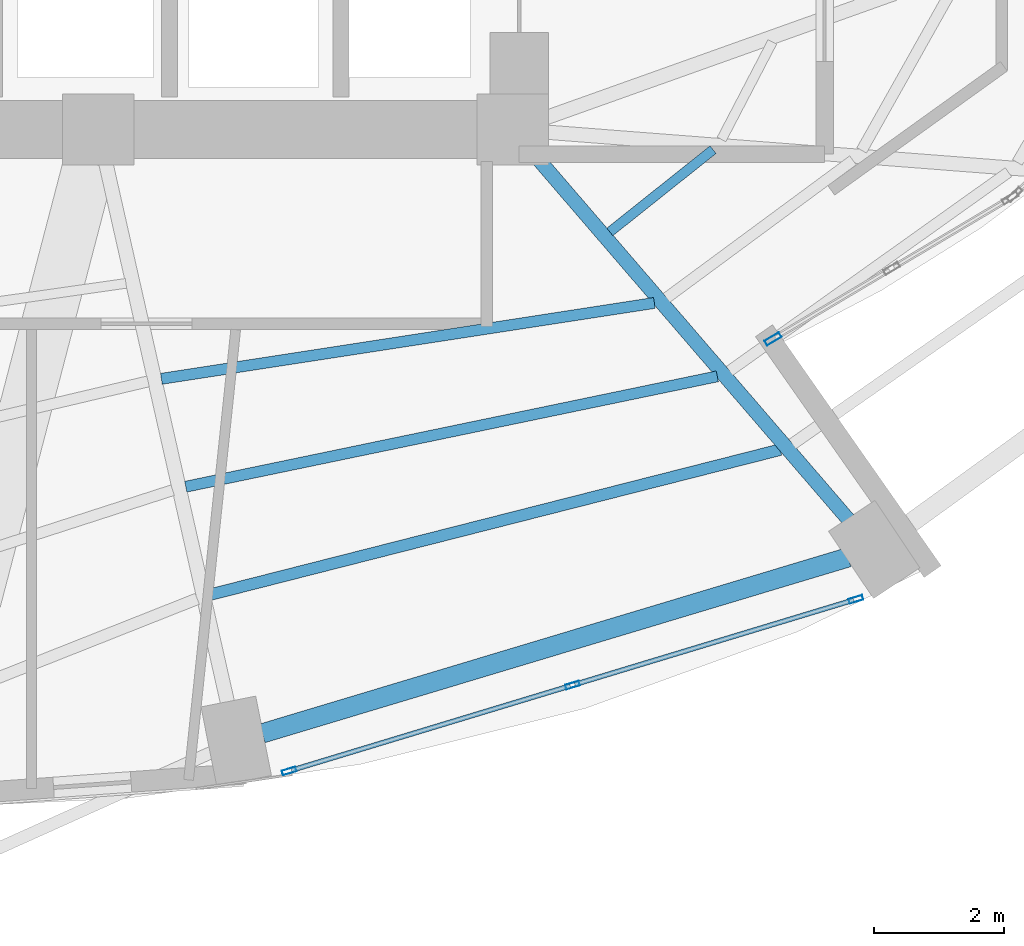
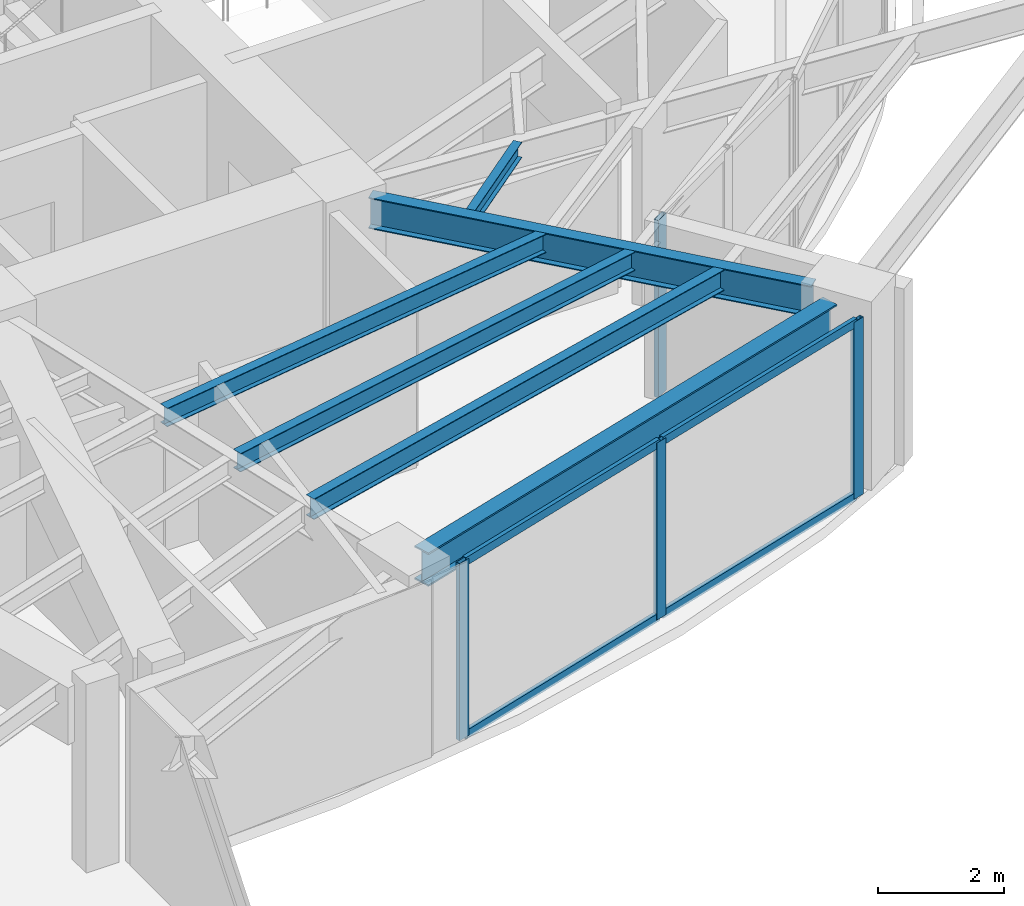
# One storey, part 9 of 24: 8 members, 6 beams, 2 elements without a shape of their own.
"""IFC4 building model written with IfcOpenShell, lengths in metres."""

from ifc_helpers import new_model, si_unit, direction, frame, origin, origin_2d, place, context, subcontext, project, spatial, hollow_rectangle, i_section, extrude, material, layer, layer_set, material_profile, profile_set, type_object, element, aggregate, save


model = new_model("IFC4")

# Units and contexts
model_context = context("Model", 3, precision=1e-05, world=origin(), true_north=direction((0.0, 1.0)))
body_context = subcontext(model_context, "Body", "Model", "MODEL_VIEW")
ifc_project = project(units=[si_unit("LENGTHUNIT", "METRE"), si_unit("AREAUNIT", "SQUARE_METRE"), si_unit("VOLUMEUNIT", "CUBIC_METRE"), si_unit("PLANEANGLEUNIT", "RADIAN"), si_unit("MASSUNIT", "GRAM", prefix="KILO")], contexts=[model_context])

# Site, building, storey
site_placement = place(None, origin())
site = spatial("IfcSite", under=ifc_project, at=site_placement, CompositionType="ELEMENT")
building_placement = place(site_placement, origin())
building = spatial("IfcBuilding", under=site, at=building_placement, Name="Lazwardi Medical Tower", CompositionType="ELEMENT")
storey_placement = place(building_placement, frame((0.0, 0.0, 65.327880859375)))
storey = spatial("IfcBuildingStorey", under=building, at=storey_placement, Name="L16", CompositionType="ELEMENT", Elevation=65.327880859375)

# Beams
ifc_material_1 = material(Name="Steel S355", Category="steel")
ifc_material_profile_1 = material_profile(ifc_material_1, i_section(OverallWidth=0.300048828125, OverallDepth=0.64990234375, WebThickness=0.01611328125, FlangeThickness=0.031005859375, at=origin_2d()), Name="HEB 650")
ifc_profile_set_1 = profile_set([ifc_material_profile_1], Name="Steel S355")
beam_type_1 = type_object("IfcBeamType", Name="BM-RB-Z1", PredefinedType="BEAM", material=ifc_profile_set_1)
beam_1_placement = place(storey_placement, frame((41.73291015625, 11.076904296875, 3.10302734375), z_axis=(0.957695289269, 0.287784177662, 0.0), x_axis=(-0.287784177662, 0.957695289269, 0.0)))
element("IfcBeam", 1, at=beam_1_placement, inside=storey, type_object=beam_type_1, Name="Ring beam RB-02 B01 L16", PredefinedType="BEAM", context=body_context, shape_type="SweptSolid", body=[
    extrude(i_section(OverallWidth=0.300048828125, OverallDepth=0.64990234375, WebThickness=0.01611328125, FlangeThickness=0.031005859375, at=origin_2d()), origin(), (0.0, 0.0, 1.0), 9.445556640625),
])
ifc_material_profile_2 = material_profile(ifc_material_1, i_section(OverallWidth=0.219970703125, OverallDepth=0.60009765625, WebThickness=0.011962890625, FlangeThickness=0.01904296875, at=origin_2d()), Name="IPE 600")
ifc_profile_set_2 = profile_set([ifc_material_profile_2], Name="Steel S355")
beam_type_2 = type_object("IfcBeamType", Name="BM-RG-W1", PredefinedType="BEAM", material=ifc_profile_set_2)
beam_2_placement = place(storey_placement, frame((50.802490234375, 14.355712890625, 3.128173828125), z_axis=(-0.652368190463, 0.757902199543, 0.0), x_axis=(-0.757902199543, -0.652368190463, 0.0)))
element("IfcBeam", 2, at=beam_2_placement, inside=storey, type_object=beam_type_2, Name="Radial girder RG-02 R02 L16", PredefinedType="BEAM", context=body_context, shape_type="SweptSolid", body=[
    extrude(i_section(OverallWidth=0.219970703125, OverallDepth=0.60009765625, WebThickness=0.011962890625, FlangeThickness=0.01904296875, at=origin_2d()), origin(), (0.0, 0.0, 1.0), 7.43994140625),
])
ifc_material_profile_3 = material_profile(ifc_material_1, i_section(OverallWidth=0.179931640625, OverallDepth=0.39990234375, WebThickness=0.008544921875, FlangeThickness=0.013427734375, at=origin_2d()), Name="IPE 400")
ifc_profile_set_3 = profile_set([ifc_material_profile_3], Name="Steel S355")
beam_type_3 = type_object("IfcBeamType", Name="BM-SJ-01", PredefinedType="JOIST", material=ifc_profile_set_3)
beam_3_placement = place(storey_placement, frame((40.927734375, 13.218994140625, 3.22802734375), z_axis=(0.969151012048, 0.246467677081, 0.0), x_axis=(-0.246467677081, 0.969151012048, 0.0)))
element("IfcBeam", 3, at=beam_3_placement, inside=storey, type_object=beam_type_3, Name="Secondary joist SJ-01 R1 B01 L16", PredefinedType="JOIST", context=body_context, shape_type="SweptSolid", body=[
    extrude(i_section(OverallWidth=0.179931640625, OverallDepth=0.39990234375, WebThickness=0.008544921875, FlangeThickness=0.013427734375, at=origin_2d()), origin(), (0.0, 0.0, 1.0), 9.08251953125),
])
ifc_material_profile_4 = material_profile(ifc_material_1, i_section(OverallWidth=0.169921875, OverallDepth=0.360107421875, WebThickness=0.008056640625, FlangeThickness=0.0126953125, at=origin_2d()), Name="IPE 360")
ifc_profile_set_4 = profile_set([ifc_material_profile_4], Name="Steel S355")
beam_type_4 = type_object("IfcBeamType", Name="BM-SJ-02", PredefinedType="JOIST", material=ifc_profile_set_4)
beam_4_placement = place(storey_placement, frame((40.5517578125, 14.885498046875, 3.248046875), z_axis=(0.979107693723, 0.203342381445, 0.0), x_axis=(-0.203342381445, 0.979107693723, 0.0)))
element("IfcBeam", 4, at=beam_4_placement, inside=storey, type_object=beam_type_4, Name="Secondary joist SJ-02 R2 B01 L16", PredefinedType="JOIST", context=body_context, shape_type="SweptSolid", body=[
    extrude(i_section(OverallWidth=0.169921875, OverallDepth=0.360107421875, WebThickness=0.008056640625, FlangeThickness=0.0126953125, at=origin_2d()), origin(), (0.0, 0.0, 1.0), 8.381591796875),
])
beam_5_placement = place(storey_placement, frame((40.175537109375, 16.551513671875, 3.248046875), z_axis=(0.988362899594, 0.152114360618, 0.0), x_axis=(-0.152114360618, 0.988362899594, 0.0)))
element("IfcBeam", 5, at=beam_5_placement, inside=storey, type_object=beam_type_4, Name="Secondary joist SJ-02 R3 B01 L16", PredefinedType="JOIST", context=body_context, shape_type="SweptSolid", body=[
    extrude(i_section(OverallWidth=0.169921875, OverallDepth=0.360107421875, WebThickness=0.008056640625, FlangeThickness=0.0126953125, at=origin_2d()), origin(), (0.0, 0.0, 1.0), 7.70068359375),
])
ifc_material_profile_5 = material_profile(ifc_material_1, i_section(OverallWidth=0.14990234375, OverallDepth=0.300048828125, WebThickness=0.007080078125, FlangeThickness=0.0107421875, at=origin_2d()), Name="IPE 300")
ifc_profile_set_5 = profile_set([ifc_material_profile_5], Name="Steel S355")
beam_type_5 = type_object("IfcBeamType", Name="BM-SJ-03", PredefinedType="JOIST", material=ifc_profile_set_5)
beam_6_placement = place(storey_placement, frame((47.098876953125, 18.8193359375, 3.278076171875), z_axis=(0.782210957226, 0.623013658274, 0.0), x_axis=(-0.623013658274, 0.782210957226, 0.0)))
element("IfcBeam", 6, at=beam_6_placement, inside=storey, type_object=beam_type_5, Name="Secondary joist SJ-03 R4 B02 L16", PredefinedType="JOIST", context=body_context, shape_type="SweptSolid", body=[
    extrude(i_section(OverallWidth=0.14990234375, OverallDepth=0.300048828125, WebThickness=0.007080078125, FlangeThickness=0.0107421875, at=origin_2d()), origin(), (0.0, 0.0, 1.0), 2.0380859375),
])

# Curtain wall, members
ifc_material_2 = material(Name="Anodised bronze aluminium and solar control glazing", Category="aluminium")
ifc_layer_1 = layer(ifc_material_2, 0.199951171875)
ifc_layer_set_1 = layer_set([ifc_layer_1], Name="Anodised bronze aluminium and solar control glazing")
curtain_wall_type_1 = type_object("IfcCurtainWallType", Name="CW-SYS-02", PredefinedType="NOTDEFINED", material=ifc_layer_set_1)
curtain_wall_1_placement = place(storey_placement, origin())
curtain_wall_1 = element("IfcCurtainWall", 7, at=curtain_wall_1_placement, inside=storey, type_object=curtain_wall_type_1, Name="L16 Unitised bronze curtain wall CW-02", PredefinedType="NOTDEFINED")
ifc_material_3 = material(Name="Anodised bronze aluminium", Category="aluminium")
ifc_material_profile_6 = material_profile(ifc_material_3, hollow_rectangle(XDim=0.074951171875, YDim=0.219970703125, WallThickness=0.00390625, at=origin_2d()), Name="ALU-MULLION 220x75x4")
ifc_profile_set_6 = profile_set([ifc_material_profile_6], Name="Anodised bronze aluminium")
member_type_1 = type_object("IfcMemberType", Name="CW-MUL-01", PredefinedType="MULLION", material=ifc_profile_set_6)
member_1_placement = place(storey_placement, frame((42.14794921875, 10.496337890625, 0.0), z_axis=(0.0, 0.0, 1.0), x_axis=(-0.2898956909, 0.957058247129, 0.0)))
member_1 = element("IfcMember", 8, at=member_1_placement, type_object=member_type_1, Name="CW-02 mullion 1", PredefinedType="MULLION", context=body_context, shape_type="SweptSolid", body=[
    extrude(hollow_rectangle(XDim=0.074951171875, YDim=0.219970703125, WallThickness=0.00390625, at=origin_2d()), origin(), (0.0, 0.0, 1.0), 3.42822265625),
])
member_2_placement = place(storey_placement, frame((46.523193359375, 11.821533203125, 0.0), z_axis=(0.0, 0.0, 1.0), x_axis=(-0.2898956909, 0.957058247129, 0.0)))
member_2 = element("IfcMember", 9, at=member_2_placement, type_object=member_type_1, Name="CW-02 mullion 2", PredefinedType="MULLION", context=body_context, shape_type="SweptSolid", body=[
    extrude(hollow_rectangle(XDim=0.074951171875, YDim=0.219970703125, WallThickness=0.00390625, at=origin_2d()), origin(), (0.0, 0.0, 1.0), 3.42822265625),
])
member_3_placement = place(storey_placement, frame((50.8984375, 13.146728515625, 0.0), z_axis=(0.0, 0.0, 1.0), x_axis=(-0.2898956909, 0.957058247129, 0.0)))
member_3 = element("IfcMember", 10, at=member_3_placement, type_object=member_type_1, Name="CW-02 mullion 3", PredefinedType="MULLION", context=body_context, shape_type="SweptSolid", body=[
    extrude(hollow_rectangle(XDim=0.074951171875, YDim=0.219970703125, WallThickness=0.00390625, at=origin_2d()), origin(), (0.0, 0.0, 1.0), 3.42822265625),
])

# Curtain wall, member
ifc_layer_2 = layer(ifc_material_2, 0.239990234375)
ifc_layer_set_2 = layer_set([ifc_layer_2], Name="Anodised bronze aluminium and solar control glazing")
curtain_wall_type_2 = type_object("IfcCurtainWallType", Name="CW-SYS-05", PredefinedType="NOTDEFINED", material=ifc_layer_set_2)
curtain_wall_2_placement = place(storey_placement, origin())
curtain_wall_2 = element("IfcCurtainWall", 11, at=curtain_wall_2_placement, inside=storey, type_object=curtain_wall_type_2, Name="L16 Unitised bronze curtain wall CW-05", PredefinedType="NOTDEFINED")
ifc_material_profile_7 = material_profile(ifc_material_3, hollow_rectangle(XDim=0.0849609375, YDim=0.260009765625, WallThickness=0.0048828125, at=origin_2d()), Name="ALU-MULLION 260x85x5")
ifc_profile_set_7 = profile_set([ifc_material_profile_7], Name="Anodised bronze aluminium")
member_type_2 = type_object("IfcMemberType", Name="CW-MUL-02", PredefinedType="MULLION", material=ifc_profile_set_7)
member_4_placement = place(storey_placement, frame((49.618896484375, 17.167724609375, 0.0), z_axis=(0.0, 0.0, 1.0), x_axis=(-0.510680174917, 0.859770759532, 0.0)))
member_4 = element("IfcMember", 12, at=member_4_placement, type_object=member_type_2, Name="CW-05 mullion 1", PredefinedType="MULLION", context=body_context, shape_type="SweptSolid", body=[
    extrude(hollow_rectangle(XDim=0.0849609375, YDim=0.260009765625, WallThickness=0.0048828125, at=origin_2d()), origin(), (0.0, 0.0, 1.0), 3.42822265625),
])
aggregate(curtain_wall_2, [member_4])

# Member
ifc_material_profile_8 = material_profile(ifc_material_3, hollow_rectangle(XDim=0.074951171875, YDim=0.159912109375, WallThickness=0.00390625, at=origin_2d()), Name="ALU-TRANSOM 160x75x4")
ifc_profile_set_8 = profile_set([ifc_material_profile_8], Name="Anodised bronze aluminium")
member_type_3 = type_object("IfcMemberType", Name="CW-TRN-01", PredefinedType="USERDEFINED", material=ifc_profile_set_8)
member_5_placement = place(storey_placement, frame((42.183837890625, 10.507080078125, 0.03759765625), z_axis=(0.957047233423, 0.28993204893, 0.0), x_axis=(-0.28993204893, 0.957047233423, 0.0)))
member_5 = element("IfcMember", 13, at=member_5_placement, type_object=member_type_3, Name="CW-02 transom 1.1", ObjectType="TRANSOM", PredefinedType="USERDEFINED", context=body_context, shape_type="SweptSolid", body=[
    extrude(hollow_rectangle(XDim=0.074951171875, YDim=0.159912109375, WallThickness=0.00390625, at=origin_2d()), origin(), (0.0, 0.0, 1.0), 4.49658203125),
])

member_6_placement = place(storey_placement, frame((42.183837890625, 10.507080078125, 3.390625), z_axis=(0.957047233423, 0.28993204893, 0.0), x_axis=(-0.28993204893, 0.957047233423, 0.0)))
member_6 = element("IfcMember", 14, at=member_6_placement, type_object=member_type_3, Name="CW-02 transom 1.2", ObjectType="TRANSOM", PredefinedType="USERDEFINED", context=body_context, shape_type="SweptSolid", body=[
    extrude(hollow_rectangle(XDim=0.074951171875, YDim=0.159912109375, WallThickness=0.00390625, at=origin_2d()), origin(), (0.0, 0.0, 1.0), 4.49658203125),
])

member_7_placement = place(storey_placement, frame((46.55908203125, 11.83251953125, 0.03759765625), z_axis=(0.957062297904, 0.289882317383, 0.0), x_axis=(-0.289882317383, 0.957062297904, 0.0)))
member_7 = element("IfcMember", 15, at=member_7_placement, type_object=member_type_3, Name="CW-02 transom 2.1", ObjectType="TRANSOM", PredefinedType="USERDEFINED", context=body_context, shape_type="SweptSolid", body=[
    extrude(hollow_rectangle(XDim=0.074951171875, YDim=0.159912109375, WallThickness=0.00390625, at=origin_2d()), origin(), (0.0, 0.0, 1.0), 4.49658203125),
])

member_8_placement = place(storey_placement, frame((46.55908203125, 11.83251953125, 3.390625), z_axis=(0.957062297904, 0.289882317383, 0.0), x_axis=(-0.289882317383, 0.957062297904, 0.0)))
member_8 = element("IfcMember", 16, at=member_8_placement, type_object=member_type_3, Name="CW-02 transom 2.2", ObjectType="TRANSOM", PredefinedType="USERDEFINED", context=body_context, shape_type="SweptSolid", body=[
    extrude(hollow_rectangle(XDim=0.074951171875, YDim=0.159912109375, WallThickness=0.00390625, at=origin_2d()), origin(), (0.0, 0.0, 1.0), 4.49658203125),
])

aggregate(curtain_wall_1, [member_1, member_2, member_3, member_5, member_6, member_7, member_8])

save(model, "model.ifc")
